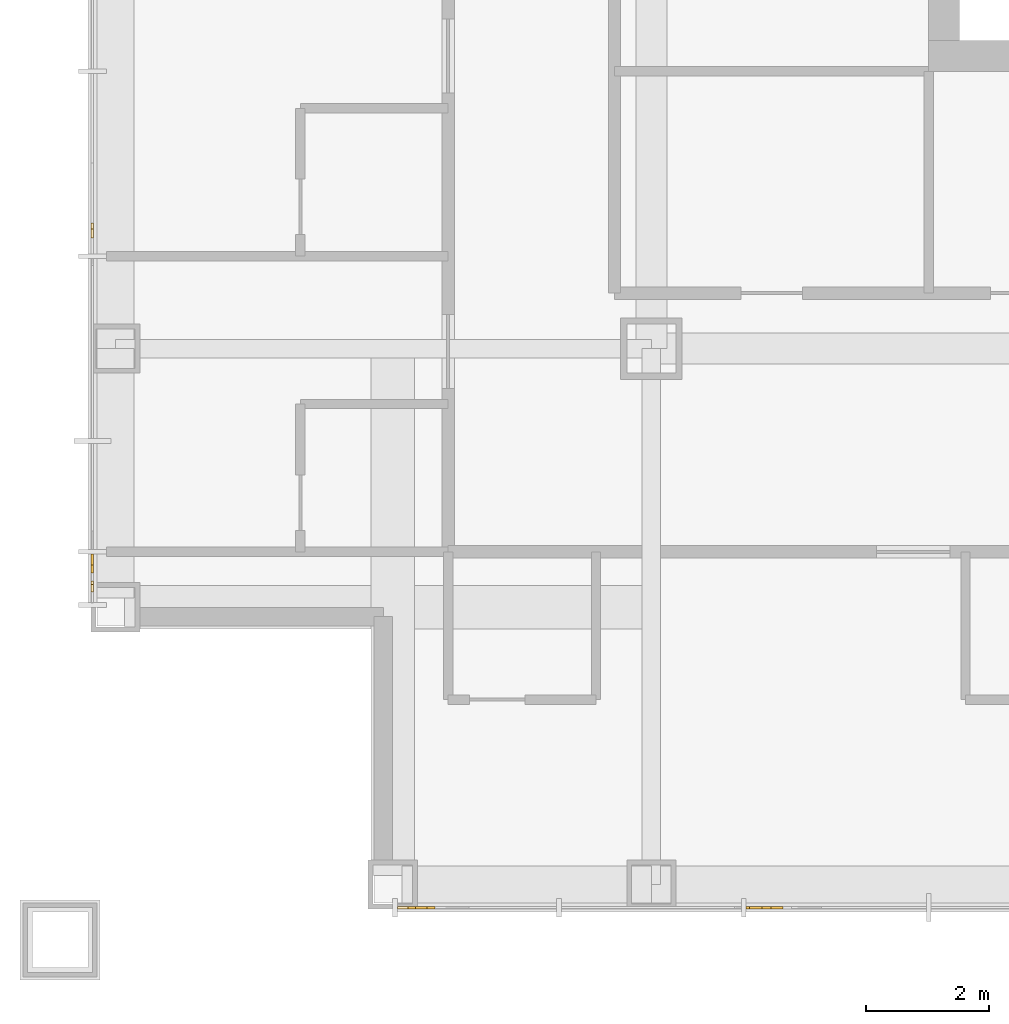
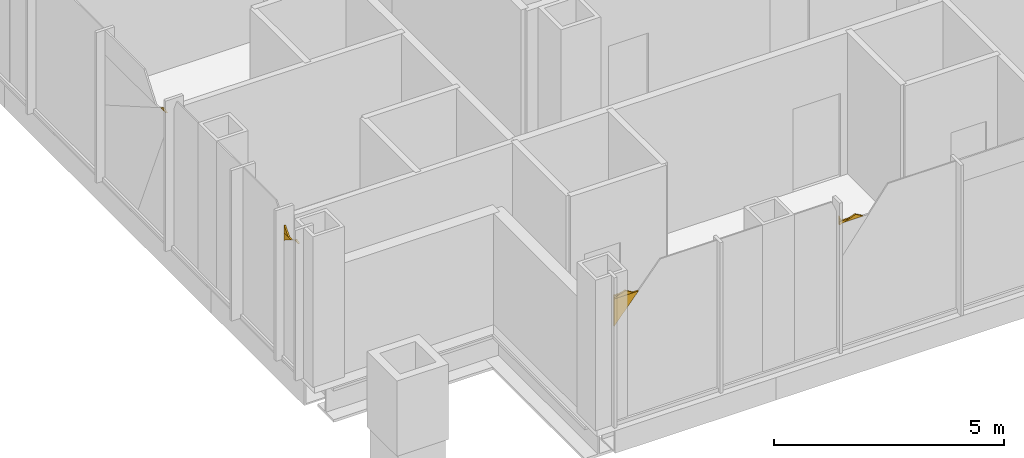
# One storey, part 14 of 25: 10 coverings.
"""IFC4 building model written with IfcOpenShell, lengths in metres."""

from ifc_helpers import new_model, si_unit, direction, frame, origin, place, context, subcontext, project, spatial, polyline, outline, extrude, material, layer, layer_set, type_object, element, save


model = new_model("IFC4")

# Units and contexts
model_context = context("Model", 3, precision=1e-05, world=origin(), true_north=direction((0.0, 1.0)))
body_context = subcontext(model_context, "Body", "Model", "MODEL_VIEW")
ifc_project = project(units=[si_unit("LENGTHUNIT", "METRE"), si_unit("AREAUNIT", "SQUARE_METRE"), si_unit("VOLUMEUNIT", "CUBIC_METRE"), si_unit("PLANEANGLEUNIT", "RADIAN"), si_unit("MASSUNIT", "GRAM", prefix="KILO")], contexts=[model_context])

# Site, building, storey
site_placement = place(None, origin())
site = spatial("IfcSite", under=ifc_project, at=site_placement, CompositionType="ELEMENT")
building_placement = place(site_placement, origin())
building = spatial("IfcBuilding", under=site, at=building_placement, Name="Malebo Sky Hospital", CompositionType="ELEMENT")
storey_placement = place(building_placement, frame((0.0, 0.0, 241.0)))
storey = spatial("IfcBuildingStorey", under=building, at=storey_placement, Name="L58", CompositionType="ELEMENT", Elevation=241.0)

# Coverings
ifc_material = material(Name="Anodised aluminium, natural silver insulated infill panel", Category="aluminium")
ifc_layer = layer(ifc_material, 0.0400390625)
ifc_layer_set = layer_set([ifc_layer], Name="BRACE INFILL PANEL 40")
covering_type = type_object("IfcCoveringType", Name="BRACE INFILL PANEL 40", PredefinedType="CLADDING", material=ifc_layer_set)
covering_1_placement = place(storey_placement, frame((37.425048828125, 45.010986328125, 3.14404296875), z_axis=(0.0, 0.0, 1.0), x_axis=(0.0, 1.0, 0.0)))
element("IfcCovering", 1, at=covering_1_placement, inside=storey, type_object=covering_type, Name="Brace infill panel 1.1", PredefinedType="CLADDING", context=body_context, shape_type="SweptSolid", body=[
    extrude(outline(polyline([(0.151611328125, 0.0), (0.151611328125, 0.192138671875), (-0.1513671875, 0.192138671875), (0.151611328125, 0.0)])), frame((0.0, 0.02001953125, 0.0), z_axis=(0.0, -1.0, 0.0), x_axis=(1.0, 0.0, 0.0)), (0.0, 0.0, 1.0), 0.0400390625),
])
covering_2_placement = place(storey_placement, frame((37.425048828125, 45.074462890625, 3.33642578125), z_axis=(0.0, 0.0, 1.0), x_axis=(0.0, 1.0, 0.0)))
element("IfcCovering", 2, at=covering_2_placement, inside=storey, type_object=covering_type, Name="Brace infill panel 1.2", PredefinedType="CLADDING", context=body_context, shape_type="SweptSolid", body=[
    extrude(outline(polyline([(-0.087890625, 0.0), (0.088134765625, 0.0), (0.088134765625, 0.209716796875), (-0.087890625, 0.0)])), frame((0.0, 0.02001953125, 0.0), z_axis=(0.0, -1.0, 0.0), x_axis=(1.0, 0.0, 0.0)), (0.0, 0.0, 1.0), 0.0400390625),
])
covering_3_placement = place(storey_placement, frame((37.425048828125, 44.636962890625, 3.42138671875), z_axis=(0.0, 0.0, 1.0), x_axis=(0.0, 1.0, 0.0)))
element("IfcCovering", 3, at=covering_3_placement, inside=storey, type_object=covering_type, Name="Brace infill panel 1.3", PredefinedType="CLADDING", context=body_context, shape_type="SweptSolid", body=[
    extrude(outline(polyline([(-0.088623046875, 0.0), (0.088623046875, 0.0), (0.029052734375, 0.037841796875), (-0.088623046875, 0.0)])), frame((0.0, 0.02001953125, 0.0), z_axis=(0.0, -1.0, 0.0), x_axis=(1.0, 0.0, 0.0)), (0.0, 0.0, 1.0), 0.0400390625),
])
covering_4_placement = place(storey_placement, frame((37.425048828125, 50.416259765625, 3.4052734375), z_axis=(0.0, 0.0, 1.0), x_axis=(0.0, 1.0, 0.0)))
element("IfcCovering", 4, at=covering_4_placement, inside=storey, type_object=covering_type, Name="Brace infill panel 4.4", PredefinedType="CLADDING", context=body_context, shape_type="SweptSolid", body=[
    extrude(outline(polyline([(-0.119873046875, 0.0), (0.119873046875, 0.0), (0.027099609375, 0.053466796875), (-0.119873046875, 0.0)])), frame((0.0, 0.02001953125, 0.0), z_axis=(0.0, -1.0, 0.0), x_axis=(1.0, 0.0, 0.0)), (0.0, 0.0, 1.0), 0.0400390625),
])
covering_5_placement = place(storey_placement, frame((48.1669921875, 39.425048828125, 3.311279296875), z_axis=(0.0, 0.0, 1.0), x_axis=(-1.0, 0.0, 0.0)))
element("IfcCovering", 5, at=covering_5_placement, inside=storey, type_object=covering_type, Name="Brace infill panel 11.2", PredefinedType="CLADDING", context=body_context, shape_type="SweptSolid", body=[
    extrude(outline(polyline([(0.12939453125, 0.0), (0.12939453125, 0.09423828125), (-0.12939453125, 0.09423828125), (0.12939453125, 0.0)])), frame((0.0, 0.02001953125, 0.0), z_axis=(0.0, -1.0, 0.0), x_axis=(1.0, 0.0, 0.0)), (0.0, 0.0, 1.0), 0.0400390625),
])
covering_6_placement = place(storey_placement, frame((48.38720703125, 39.425048828125, 3.34814453125), z_axis=(0.0, 0.0, 1.0), x_axis=(-1.0, 0.0, 0.0)))
element("IfcCovering", 6, at=covering_6_placement, inside=storey, type_object=covering_type, Name="Brace infill panel 11.3", PredefinedType="CLADDING", context=body_context, shape_type="SweptSolid", body=[
    extrude(outline(polyline([(-0.24853515625, 0.0), (0.24853515625, 0.0), (-0.05615234375, 0.11083984375), (-0.24853515625, 0.0)])), frame((0.0, 0.02001953125, 0.0), z_axis=(0.0, -1.0, 0.0), x_axis=(1.0, 0.0, 0.0)), (0.0, 0.0, 1.0), 0.0400390625),
])
covering_7_placement = place(storey_placement, frame((48.06640625, 39.425048828125, 3.405517578125), z_axis=(0.0, 0.0, 1.0), x_axis=(-1.0, 0.0, 0.0)))
element("IfcCovering", 7, at=covering_7_placement, inside=storey, type_object=covering_type, Name="Brace infill panel 11.4", PredefinedType="CLADDING", context=body_context, shape_type="SweptSolid", body=[
    extrude(outline(polyline([(-0.029052734375, 0.0), (0.029052734375, 0.0), (0.029052734375, 0.13525390625), (-0.029052734375, 0.0)])), frame((0.0, 0.02001953125, 0.0), z_axis=(0.0, -1.0, 0.0), x_axis=(1.0, 0.0, 0.0)), (0.0, 0.0, 1.0), 0.0400390625),
])
covering_8_placement = place(storey_placement, frame((42.6806640625, 39.425048828125, 2.609130859375), z_axis=(0.0, 0.0, 1.0), x_axis=(-1.0, 0.0, 0.0)))
element("IfcCovering", 8, at=covering_8_placement, inside=storey, type_object=covering_type, Name="Brace infill panel 13.1", PredefinedType="CLADDING", context=body_context, shape_type="SweptSolid", body=[
    extrude(outline(polyline([(0.3056640625, 0.0), (0.3056640625, 0.72705078125), (-0.3056640625, 0.72705078125), (0.3056640625, 0.0)])), frame((0.0, 0.02001953125, 0.0), z_axis=(0.0, -1.0, 0.0), x_axis=(1.0, 0.0, 0.0)), (0.0, 0.0, 1.0), 0.0400390625),
])
covering_9_placement = place(storey_placement, frame((42.617431640625, 39.425048828125, 3.33642578125), z_axis=(0.0, 0.0, 1.0), x_axis=(-1.0, 0.0, 0.0)))
element("IfcCovering", 9, at=covering_9_placement, inside=storey, type_object=covering_type, Name="Brace infill panel 13.2", PredefinedType="CLADDING", context=body_context, shape_type="SweptSolid", body=[
    extrude(outline(polyline([(-0.2421875, 0.0), (0.2421875, 0.0), (0.2421875, 0.029296875), (-0.048583984375, 0.122802734375), (-0.2421875, 0.0)])), frame((0.0, 0.02001953125, 0.0), z_axis=(0.0, -1.0, 0.0), x_axis=(1.0, 0.0, 0.0)), (0.0, 0.0, 1.0), 0.0400390625),
])
covering_10_placement = place(storey_placement, frame((42.461669921875, 39.425048828125, 3.36572265625), z_axis=(0.0, 0.0, 1.0), x_axis=(-1.0, 0.0, 0.0)))
element("IfcCovering", 10, at=covering_10_placement, inside=storey, type_object=covering_type, Name="Brace infill panel 13.3", PredefinedType="CLADDING", context=body_context, shape_type="SweptSolid", body=[
    extrude(outline(polyline([(0.086669921875, 0.0), (0.086669921875, 0.0556640625), (-0.086669921875, 0.0556640625), (0.086669921875, 0.0)])), frame((0.0, 0.02001953125, 0.0), z_axis=(0.0, -1.0, 0.0), x_axis=(1.0, 0.0, 0.0)), (0.0, 0.0, 1.0), 0.0400390625),
])

save(model, "model.ifc")
